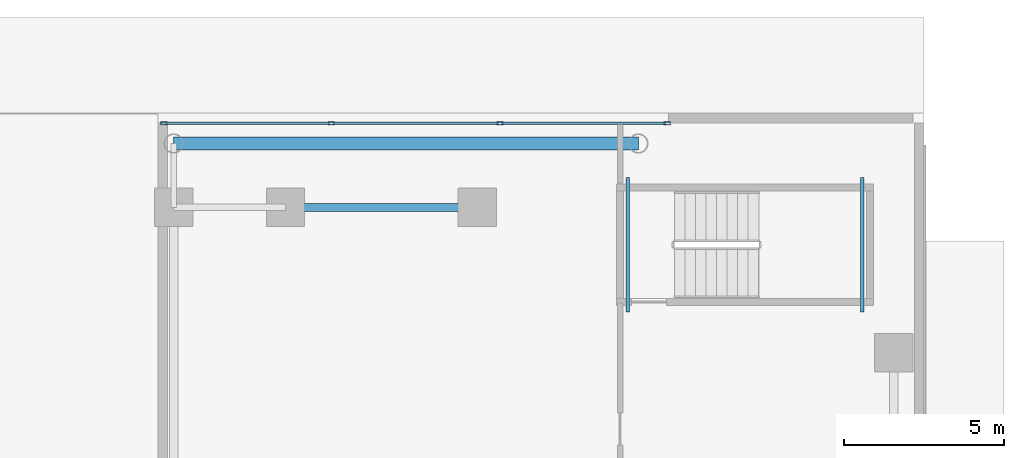
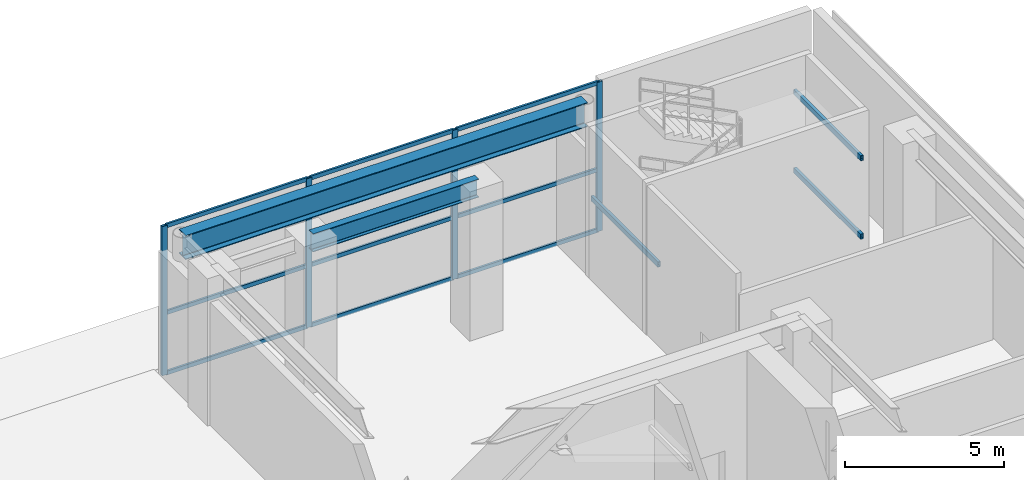
# One storey, part 3 of 17: 13 members, 5 beams, 1 element without a shape of its own.
"""IFC4 building model written with IfcOpenShell, lengths in metres."""

from ifc_helpers import new_model, si_unit, direction, frame, origin, origin_2d, place, context, subcontext, project, spatial, hollow_rectangle, i_section, extrude, source, transform, mapped, material, layer, layer_set, material_profile, profile_set, type_object, element, aggregate, save


model = new_model("IFC4")

# Units and contexts
model_context = context("Model", 3, precision=1e-05, world=origin(), true_north=direction((0.0, 1.0)))
body_context = subcontext(model_context, "Body", "Model", "MODEL_VIEW")
ifc_project = project(units=[si_unit("LENGTHUNIT", "METRE"), si_unit("AREAUNIT", "SQUARE_METRE"), si_unit("VOLUMEUNIT", "CUBIC_METRE"), si_unit("PLANEANGLEUNIT", "RADIAN"), si_unit("MASSUNIT", "GRAM", prefix="KILO")], contexts=[model_context])

# Site, building, storey
site_placement = place(None, origin())
site = spatial("IfcSite", under=ifc_project, at=site_placement, CompositionType="ELEMENT")
building_placement = place(site_placement, origin())
building = spatial("IfcBuilding", under=site, at=building_placement, Name="Ocotamira Hotel", CompositionType="ELEMENT")
storey_placement = place(building_placement, origin())
storey = spatial("IfcBuildingStorey", under=building, at=storey_placement, Name="L01", CompositionType="ELEMENT", Elevation=0.0)

# Beams
ifc_material_1 = material(Name="Steel ASTM A500 Grade C", Category="steel")
ifc_material_profile_1 = material_profile(ifc_material_1, hollow_rectangle(XDim=0.10009765625, YDim=0.199951171875, WallThickness=0.008056640625, at=origin_2d()), Name="HSS200X100X8")
ifc_profile_set_1 = profile_set([ifc_material_profile_1], Name="Steel ASTM A500 Grade C")
beam_type_1 = type_object("IfcBeamType", Name="BM-STLDG-HSS200", PredefinedType="BEAM", material=ifc_profile_set_1)
shared_shape_1 = source(origin(), body_context, "Body", "SweptSolid", [
    extrude(hollow_rectangle(XDim=0.10009765625, YDim=0.199951171875, WallThickness=0.008056640625, at=origin_2d()), origin(), (0.0, 0.0, 1.0), 4.199951171875),
])
for number, where, z_axis, x_axis, name in (
    (1, (62.06005859375, 45.780029296875, 1.199951171875), (0.0, 1.0, 0.0), (-1.0, 0.0, 0.0), "L01 Stair ST-6 Landing Bearer 1"),
    (2, (54.719970703125, 45.780029296875, 2.699951171875), (0.0, 1.0, 0.0), (-1.0, 0.0, 0.0), "L01 Stair ST-6 Landing Bearer 2"),
    (3, (62.06005859375, 45.780029296875, 4.199951171875), (0.0, 1.0, 0.0), (-1.0, 0.0, 0.0), "L01 Stair ST-6 Landing Bearer 3"),
):
    element("IfcBeam", number, at=place(storey_placement, frame(where, z_axis=z_axis, x_axis=x_axis)), inside=storey, type_object=beam_type_1, Name=name, PredefinedType="BEAM", context=body_context, shape_type="MappedRepresentation", body=[
        mapped(shared_shape_1, transform((0.0, 0.0, 0.0), scale=1.0)),
    ])
ifc_material_2 = material(Name="Steel ASTM A992 Grade 50", Category="steel")
ifc_material_profile_2 = material_profile(ifc_material_2, i_section(OverallWidth=0.41796875, OverallDepth=0.927001953125, WebThickness=0.019287109375, FlangeThickness=0.031982421875, FilletRadius=0.02392578125, at=origin_2d()), Name="W36X231")
ifc_profile_set_2 = profile_set([ifc_material_profile_2], Name="Steel ASTM A992 Grade 50")
beam_type_2 = type_object("IfcBeamType", Name="BM-GIRD-W36X231", PredefinedType="BEAM", material=ifc_profile_set_2)
shared_shape_2 = source(origin(), body_context, "Body", "SweptSolid", [
    extrude(i_section(OverallWidth=0.41796875, OverallDepth=0.927001953125, WebThickness=0.019287109375, FlangeThickness=0.031982421875, FilletRadius=0.02392578125, at=origin_2d()), origin(), (0.0, 0.0, 1.0), 14.550048828125),
])
beam_1_placement = place(storey_placement, frame((40.5, 51.050048828125, 5.24658203125), z_axis=(1.0, 0.0, 0.0), x_axis=(0.0, 1.0, 0.0)))
element("IfcBeam", 4, at=beam_1_placement, inside=storey, type_object=beam_type_2, Name="L01 Girder Y51.05 X40.5-55.05", PredefinedType="BEAM", context=body_context, shape_type="MappedRepresentation", body=[
    mapped(shared_shape_2, transform((0.0, 0.0, 0.0), scale=1.0)),
])
ifc_material_profile_3 = material_profile(ifc_material_2, i_section(OverallWidth=0.256103515625, OverallDepth=0.693115234375, WebThickness=0.014404296875, FlangeThickness=0.023681640625, FilletRadius=0.01611328125, at=origin_2d()), Name="W27X114")
ifc_profile_set_3 = profile_set([ifc_material_profile_3], Name="Steel ASTM A992 Grade 50")
beam_type_3 = type_object("IfcBeamType", Name="BM-PRIM-W27X114", PredefinedType="BEAM", material=ifc_profile_set_3)
shared_shape_3 = source(origin(), body_context, "Body", "SweptSolid", [
    extrude(i_section(OverallWidth=0.256103515625, OverallDepth=0.693115234375, WebThickness=0.014404296875, FlangeThickness=0.023681640625, FilletRadius=0.01611328125, at=origin_2d()), origin(), (0.0, 0.0, 1.0), 6.0),
])
beam_2_placement = place(storey_placement, frame((44.0, 49.050048828125, 5.363525390625), z_axis=(1.0, 0.0, 0.0), x_axis=(0.0, 1.0, 0.0)))
element("IfcBeam", 5, at=beam_2_placement, inside=storey, type_object=beam_type_3, Name="L01 Girder Y49.05 X44-50", PredefinedType="BEAM", context=body_context, shape_type="MappedRepresentation", body=[
    mapped(shared_shape_3, transform((0.0, 0.0, 0.0), scale=1.0)),
])

# Curtain wall, members
ifc_material_3 = material(Name="Anodised pale-metal aluminium and solar glass", Category="aluminium")
ifc_layer = layer(ifc_material_3, 0.219970703125)
ifc_layer_set = layer_set([ifc_layer], Name="Anodised pale-metal aluminium and solar glass")
curtain_wall_type = type_object("IfcCurtainWallType", Name="CW-SYS1-POD", PredefinedType="NOTDEFINED", material=ifc_layer_set)
curtain_wall_placement = place(storey_placement, origin())
curtain_wall = element("IfcCurtainWall", 6, at=curtain_wall_placement, inside=storey, type_object=curtain_wall_type, Name="L01 Curtain Wall CW-1 CW-L01-NE", PredefinedType="NOTDEFINED")
ifc_material_4 = material(Name="Anodised pale-metal aluminium 6063-T6", Category="aluminium")
ifc_material_profile_4 = material_profile(ifc_material_4, hollow_rectangle(XDim=0.10009765625, YDim=0.199951171875, WallThickness=0.008056640625, at=origin_2d()), Name="HSS200X100X8")
ifc_profile_set_4 = profile_set([ifc_material_profile_4], Name="Anodised pale-metal aluminium 6063-T6")
member_type_1 = type_object("IfcMemberType", Name="CWM-200X100", PredefinedType="MULLION", material=ifc_profile_set_4)
shared_shape_4 = source(origin(), body_context, "Body", "SweptSolid", [
    extrude(hollow_rectangle(XDim=0.10009765625, YDim=0.199951171875, WallThickness=0.008056640625, at=origin_2d()), origin(), (0.0, 0.0, 1.0), 5.7099609375),
])
member_1_placement = place(storey_placement, frame((40.199951171875, 51.679931640625, 0.0), z_axis=(0.0, 0.0, 1.0), x_axis=(0.0, 1.0, 0.0)))
member_1 = element("IfcMember", 7, at=member_1_placement, type_object=member_type_1, Name="CW-1 mullion 1", PredefinedType="MULLION", context=body_context, shape_type="MappedRepresentation", body=[
    mapped(shared_shape_4, transform((0.0, 0.0, 0.0), scale=1.0)),
])
member_2_placement = place(storey_placement, frame((45.433349609375, 51.679931640625, 0.0), z_axis=(0.0, 0.0, 1.0), x_axis=(0.0, 1.0, 0.0)))
member_2 = element("IfcMember", 8, at=member_2_placement, type_object=member_type_1, Name="CW-1 mullion 2", PredefinedType="MULLION", context=body_context, shape_type="MappedRepresentation", body=[
    mapped(shared_shape_4, transform((0.0, 0.0, 0.0), scale=1.0)),
])
member_3_placement = place(storey_placement, frame((50.716552734375, 51.679931640625, 0.0), z_axis=(0.0, 0.0, 1.0), x_axis=(0.0, 1.0, 0.0)))
member_3 = element("IfcMember", 9, at=member_3_placement, type_object=member_type_1, Name="CW-1 mullion 3", PredefinedType="MULLION", context=body_context, shape_type="MappedRepresentation", body=[
    mapped(shared_shape_4, transform((0.0, 0.0, 0.0), scale=1.0)),
])
member_4_placement = place(storey_placement, frame((55.949951171875, 51.679931640625, 0.0), z_axis=(0.0, 0.0, 1.0), x_axis=(0.0, 1.0, 0.0)))
member_4 = element("IfcMember", 10, at=member_4_placement, type_object=member_type_1, Name="CW-1 mullion 4", PredefinedType="MULLION", context=body_context, shape_type="MappedRepresentation", body=[
    mapped(shared_shape_4, transform((0.0, 0.0, 0.0), scale=1.0)),
])
ifc_material_profile_5 = material_profile(ifc_material_4, hollow_rectangle(XDim=0.074951171875, YDim=0.14990234375, WallThickness=0.006103515625, at=origin_2d()), Name="HSS150X75X6")
ifc_profile_set_5 = profile_set([ifc_material_profile_5], Name="Anodised pale-metal aluminium 6063-T6")
member_type_2 = type_object("IfcMemberType", Name="CWT-150X75", PredefinedType="USERDEFINED", material=ifc_profile_set_5)
shared_shape_5 = source(origin(), body_context, "Body", "SweptSolid", [
    extrude(hollow_rectangle(XDim=0.074951171875, YDim=0.14990234375, WallThickness=0.006103515625, at=origin_2d()), origin(), (0.0, 0.0, 1.0), 5.13330078125),
])
member_5_placement = place(storey_placement, frame((40.25, 51.679931640625, 0.03759765625), z_axis=(1.0, 0.0, 0.0), x_axis=(0.0, 1.0, 0.0)))
member_5 = element("IfcMember", 11, at=member_5_placement, type_object=member_type_2, Name="CW-1 transom 1.1", ObjectType="TRANSOM", PredefinedType="USERDEFINED", context=body_context, shape_type="MappedRepresentation", body=[
    mapped(shared_shape_5, transform((0.0, 0.0, 0.0), scale=1.0)),
])
member_6_placement = place(storey_placement, frame((40.25, 51.679931640625, 2.35009765625), z_axis=(1.0, 0.0, 0.0), x_axis=(0.0, 1.0, 0.0)))
member_6 = element("IfcMember", 12, at=member_6_placement, type_object=member_type_2, Name="CW-1 transom 1.2", ObjectType="TRANSOM", PredefinedType="USERDEFINED", context=body_context, shape_type="MappedRepresentation", body=[
    mapped(shared_shape_5, transform((0.0, 0.0, 0.0), scale=1.0)),
])
member_7_placement = place(storey_placement, frame((40.25, 51.679931640625, 5.672607421875), z_axis=(1.0, 0.0, 0.0), x_axis=(0.0, 1.0, 0.0)))
member_7 = element("IfcMember", 13, at=member_7_placement, type_object=member_type_2, Name="CW-1 transom 1.3", ObjectType="TRANSOM", PredefinedType="USERDEFINED", context=body_context, shape_type="MappedRepresentation", body=[
    mapped(shared_shape_5, transform((0.0, 0.0, 0.0), scale=1.0)),
])
member_8_placement = place(storey_placement, frame((50.7666015625, 51.679931640625, 0.03759765625), z_axis=(1.0, 0.0, 0.0), x_axis=(0.0, 1.0, 0.0)))
member_8 = element("IfcMember", 14, at=member_8_placement, type_object=member_type_2, Name="CW-1 transom 3.1", ObjectType="TRANSOM", PredefinedType="USERDEFINED", context=body_context, shape_type="MappedRepresentation", body=[
    mapped(shared_shape_5, transform((0.0, 0.0, 0.0), scale=1.0)),
])
member_9_placement = place(storey_placement, frame((50.7666015625, 51.679931640625, 2.35009765625), z_axis=(1.0, 0.0, 0.0), x_axis=(0.0, 1.0, 0.0)))
member_9 = element("IfcMember", 15, at=member_9_placement, type_object=member_type_2, Name="CW-1 transom 3.2", ObjectType="TRANSOM", PredefinedType="USERDEFINED", context=body_context, shape_type="MappedRepresentation", body=[
    mapped(shared_shape_5, transform((0.0, 0.0, 0.0), scale=1.0)),
])
member_10_placement = place(storey_placement, frame((50.7666015625, 51.679931640625, 5.672607421875), z_axis=(1.0, 0.0, 0.0), x_axis=(0.0, 1.0, 0.0)))
member_10 = element("IfcMember", 16, at=member_10_placement, type_object=member_type_2, Name="CW-1 transom 3.3", ObjectType="TRANSOM", PredefinedType="USERDEFINED", context=body_context, shape_type="MappedRepresentation", body=[
    mapped(shared_shape_5, transform((0.0, 0.0, 0.0), scale=1.0)),
])
shared_shape_6 = source(origin(), body_context, "Body", "SweptSolid", [
    extrude(hollow_rectangle(XDim=0.074951171875, YDim=0.14990234375, WallThickness=0.006103515625, at=origin_2d()), origin(), (0.0, 0.0, 1.0), 5.183349609375),
])
member_11_placement = place(storey_placement, frame((45.4833984375, 51.679931640625, 0.03759765625), z_axis=(1.0, 0.0, 0.0), x_axis=(0.0, 1.0, 0.0)))
member_11 = element("IfcMember", 17, at=member_11_placement, type_object=member_type_2, Name="CW-1 transom 2.1", ObjectType="TRANSOM", PredefinedType="USERDEFINED", context=body_context, shape_type="MappedRepresentation", body=[
    mapped(shared_shape_6, transform((0.0, 0.0, 0.0), scale=1.0)),
])
member_12_placement = place(storey_placement, frame((45.4833984375, 51.679931640625, 2.35009765625), z_axis=(1.0, 0.0, 0.0), x_axis=(0.0, 1.0, 0.0)))
member_12 = element("IfcMember", 18, at=member_12_placement, type_object=member_type_2, Name="CW-1 transom 2.2", ObjectType="TRANSOM", PredefinedType="USERDEFINED", context=body_context, shape_type="MappedRepresentation", body=[
    mapped(shared_shape_6, transform((0.0, 0.0, 0.0), scale=1.0)),
])
member_13_placement = place(storey_placement, frame((45.4833984375, 51.679931640625, 5.672607421875), z_axis=(1.0, 0.0, 0.0), x_axis=(0.0, 1.0, 0.0)))
member_13 = element("IfcMember", 19, at=member_13_placement, type_object=member_type_2, Name="CW-1 transom 2.3", ObjectType="TRANSOM", PredefinedType="USERDEFINED", context=body_context, shape_type="MappedRepresentation", body=[
    mapped(shared_shape_6, transform((0.0, 0.0, 0.0), scale=1.0)),
])
aggregate(curtain_wall, [member_1, member_2, member_3, member_4, member_5, member_6, member_7, member_11, member_12, member_13, member_8, member_9, member_10])

save(model, "model.ifc")
